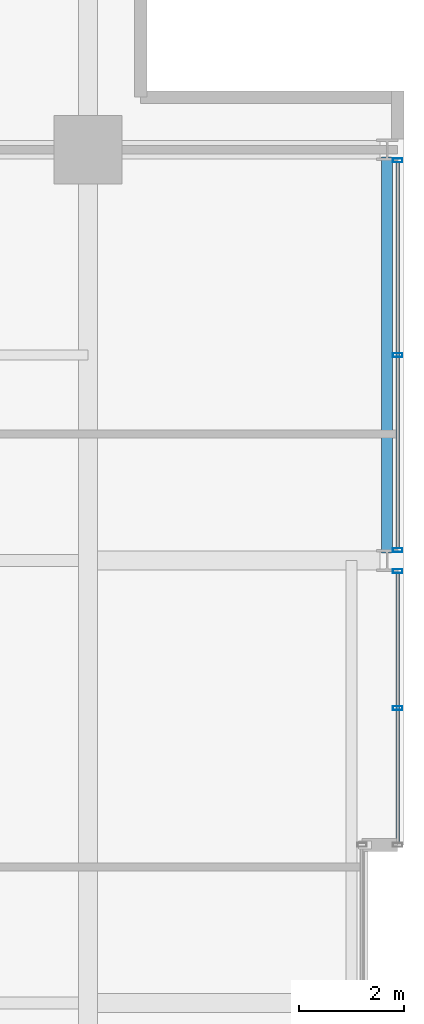
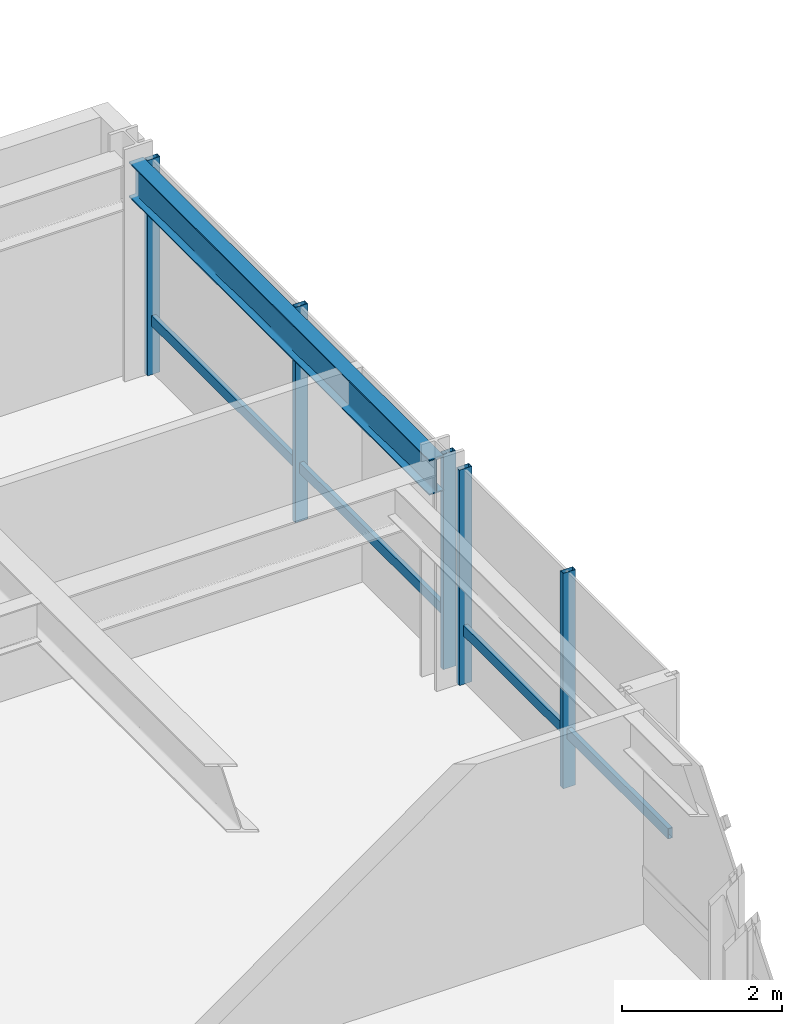
# One storey, part 24 of 34: 7 members, 1 beam, 2 elements without a shape of their own.
"""IFC4 building model written with IfcOpenShell, lengths in metres."""

from ifc_helpers import new_model, si_unit, direction, frame, origin, origin_2d, place, context, subcontext, project, spatial, hollow_rectangle, i_section, extrude, material, layer, layer_set, material_profile, profile_set, type_object, element, aggregate, save


model = new_model("IFC4")

# Units and contexts
model_context = context("Model", 3, precision=1e-05, world=origin(), true_north=direction((0.0, 1.0)))
body_context = subcontext(model_context, "Body", "Model", "MODEL_VIEW")
ifc_project = project(units=[si_unit("LENGTHUNIT", "METRE"), si_unit("AREAUNIT", "SQUARE_METRE"), si_unit("VOLUMEUNIT", "CUBIC_METRE"), si_unit("PLANEANGLEUNIT", "RADIAN"), si_unit("MASSUNIT", "GRAM", prefix="KILO")], contexts=[model_context])

# Site, building, storey
site_placement = place(None, origin())
site = spatial("IfcSite", under=ifc_project, at=site_placement, CompositionType="ELEMENT")
building_placement = place(site_placement, origin())
building = spatial("IfcBuilding", under=site, at=building_placement, Name="Drelvath Grand Hotel", CompositionType="ELEMENT")
storey_placement = place(building_placement, frame((0.0, 0.0, 175.25)))
storey = spatial("IfcBuildingStorey", under=building, at=storey_placement, Name="L45", CompositionType="ELEMENT", Elevation=175.25)

# Curtain wall, member
ifc_material_1 = material(Name="Brushed Pale-Silver Anodised Aluminium Frame", Category="aluminium")
ifc_layer = layer(ifc_material_1, 0.199951171875)
ifc_layer_set = layer_set([ifc_layer], Name="Brushed Pale-Silver Anodised Aluminium Frame")
curtain_wall_type = type_object("IfcCurtainWallType", Name="Stick Curtain Wall CW-04 Brushed Silver Upper-Mid", PredefinedType="NOTDEFINED", material=ifc_layer_set)
curtain_wall_1_placement = place(storey_placement, origin())
curtain_wall_1 = element("IfcCurtainWall", 1, at=curtain_wall_1_placement, inside=storey, type_object=curtain_wall_type, Name="L45 CW-04 Curtain Wall CW04-L45-EN1", PredefinedType="NOTDEFINED")
ifc_material_profile_1 = material_profile(ifc_material_1, hollow_rectangle(XDim=0.06494140625, YDim=0.159912109375, WallThickness=0.00390625, at=origin_2d()), Name="HSS160X65X4")
ifc_profile_set_1 = profile_set([ifc_material_profile_1], Name="Brushed Pale-Silver Anodised Aluminium Frame")
member_type_1 = type_object("IfcMemberType", Name="Curtain Wall Horizontal Transom CW-04 HSS160X65X4", PredefinedType="USERDEFINED", material=ifc_profile_set_1)
member_1_placement = place(storey_placement, frame((22.080078125, 35.159912109375, 0.822509765625), z_axis=(0.0, -1.0, 0.0), x_axis=(1.0, 0.0, 0.0)))
member_1 = element("IfcMember", 2, at=member_1_placement, type_object=member_type_1, Name="CW04-L45-EN1 Sill Transom", ObjectType="TRANSOM", PredefinedType="USERDEFINED", context=body_context, shape_type="SweptSolid", body=[
    extrude(hollow_rectangle(XDim=0.06494140625, YDim=0.159912109375, WallThickness=0.00390625, at=origin_2d()), origin(), (0.0, 0.0, 1.0), 5.119873046875),
])

curtain_wall_2_placement = place(storey_placement, origin())
curtain_wall_2 = element("IfcCurtainWall", 3, at=curtain_wall_2_placement, inside=storey, type_object=curtain_wall_type, Name="L45 CW-04 Curtain Wall CW04-L45-EN2", PredefinedType="NOTDEFINED")
member_2_placement = place(storey_placement, frame((22.080078125, 42.9599609375, 0.822509765625), z_axis=(0.0, -1.0, 0.0), x_axis=(1.0, 0.0, 0.0)))
member_2 = element("IfcMember", 4, at=member_2_placement, type_object=member_type_1, Name="CW04-L45-EN2 Sill Transom", ObjectType="TRANSOM", PredefinedType="USERDEFINED", context=body_context, shape_type="SweptSolid", body=[
    extrude(hollow_rectangle(XDim=0.06494140625, YDim=0.159912109375, WallThickness=0.00390625, at=origin_2d()), origin(), (0.0, 0.0, 1.0), 7.320068359375),
])

# Member
ifc_material_profile_2 = material_profile(ifc_material_1, hollow_rectangle(XDim=0.074951171875, YDim=0.179931640625, WallThickness=0.0048828125, at=origin_2d()), Name="HSS180X75X5")
ifc_profile_set_2 = profile_set([ifc_material_profile_2], Name="Brushed Pale-Silver Anodised Aluminium Frame")
member_type_2 = type_object("IfcMemberType", Name="Curtain Wall Vertical Mullion CW-04 HSS180X75X5", PredefinedType="MULLION", material=ifc_profile_set_2)
member_3_placement = place(storey_placement, frame((22.080078125, 35.199951171875, 0.0), z_axis=(0.0, 0.0, 1.0), x_axis=(0.0, 1.0, 0.0)))
member_3 = element("IfcMember", 5, at=member_3_placement, type_object=member_type_2, Name="CW04-L45-EN1 Mullion 1", PredefinedType="MULLION", context=body_context, shape_type="SweptSolid", body=[
    extrude(hollow_rectangle(XDim=0.074951171875, YDim=0.179931640625, WallThickness=0.0048828125, at=origin_2d()), origin(), (0.0, 0.0, 1.0), 3.2900390625),
])

member_4_placement = place(storey_placement, frame((22.080078125, 32.60009765625, 0.0), z_axis=(0.0, 0.0, 1.0), x_axis=(0.0, 1.0, 0.0)))
member_4 = element("IfcMember", 6, at=member_4_placement, type_object=member_type_2, Name="CW04-L45-EN1 Mullion 2", PredefinedType="MULLION", context=body_context, shape_type="SweptSolid", body=[
    extrude(hollow_rectangle(XDim=0.074951171875, YDim=0.179931640625, WallThickness=0.0048828125, at=origin_2d()), origin(), (0.0, 0.0, 1.0), 3.2900390625),
])

aggregate(curtain_wall_1, [member_3, member_4, member_1])

member_5_placement = place(storey_placement, frame((22.080078125, 43.0, 0.0), z_axis=(0.0, 0.0, 1.0), x_axis=(0.0, 1.0, 0.0)))
member_5 = element("IfcMember", 7, at=member_5_placement, type_object=member_type_2, Name="CW04-L45-EN2 Mullion 1", PredefinedType="MULLION", context=body_context, shape_type="SweptSolid", body=[
    extrude(hollow_rectangle(XDim=0.074951171875, YDim=0.179931640625, WallThickness=0.0048828125, at=origin_2d()), origin(), (0.0, 0.0, 1.0), 3.2900390625),
])

member_6_placement = place(storey_placement, frame((22.080078125, 39.300048828125, 0.0), z_axis=(0.0, 0.0, 1.0), x_axis=(0.0, 1.0, 0.0)))
member_6 = element("IfcMember", 8, at=member_6_placement, type_object=member_type_2, Name="CW04-L45-EN2 Mullion 2", PredefinedType="MULLION", context=body_context, shape_type="SweptSolid", body=[
    extrude(hollow_rectangle(XDim=0.074951171875, YDim=0.179931640625, WallThickness=0.0048828125, at=origin_2d()), origin(), (0.0, 0.0, 1.0), 3.2900390625),
])

member_7_placement = place(storey_placement, frame((22.080078125, 35.60009765625, 0.0), z_axis=(0.0, 0.0, 1.0), x_axis=(0.0, 1.0, 0.0)))
member_7 = element("IfcMember", 9, at=member_7_placement, type_object=member_type_2, Name="CW04-L45-EN2 Mullion 3", PredefinedType="MULLION", context=body_context, shape_type="SweptSolid", body=[
    extrude(hollow_rectangle(XDim=0.074951171875, YDim=0.179931640625, WallThickness=0.0048828125, at=origin_2d()), origin(), (0.0, 0.0, 1.0), 3.2900390625),
])

aggregate(curtain_wall_2, [member_5, member_6, member_7, member_2])

# Beam
ifc_material_2 = material(Name="Steel ASTM A992 Gr 50", Category="steel")
ifc_material_profile_3 = material_profile(ifc_material_2, i_section(OverallWidth=0.210205078125, OverallDepth=0.53662109375, WebThickness=0.010986328125, FlangeThickness=0.017333984375, FilletRadius=0.01806640625, at=origin_2d()), Name="W21X68")
ifc_profile_set_3 = profile_set([ifc_material_profile_3], Name="Steel ASTM A992 Gr 50")
beam_type = type_object("IfcBeamType", Name="Perimeter Spandrel Beam W21X68", PredefinedType="SPANDREL", material=ifc_profile_set_3)
beam_placement = place(storey_placement, frame((21.8798828125, 35.5400390625, 3.021484375), z_axis=(0.0, 1.0, 0.0), x_axis=(-1.0, 0.0, 0.0)))
element("IfcBeam", 10, at=beam_placement, inside=storey, type_object=beam_type, Name="L45 Spandrel East N", PredefinedType="SPANDREL", context=body_context, shape_type="SweptSolid", body=[
    extrude(i_section(OverallWidth=0.210205078125, OverallDepth=0.53662109375, WebThickness=0.010986328125, FlangeThickness=0.017333984375, FilletRadius=0.01806640625, at=origin_2d()), origin(), (0.0, 0.0, 1.0), 7.52001953125),
])

save(model, "model.ifc")
